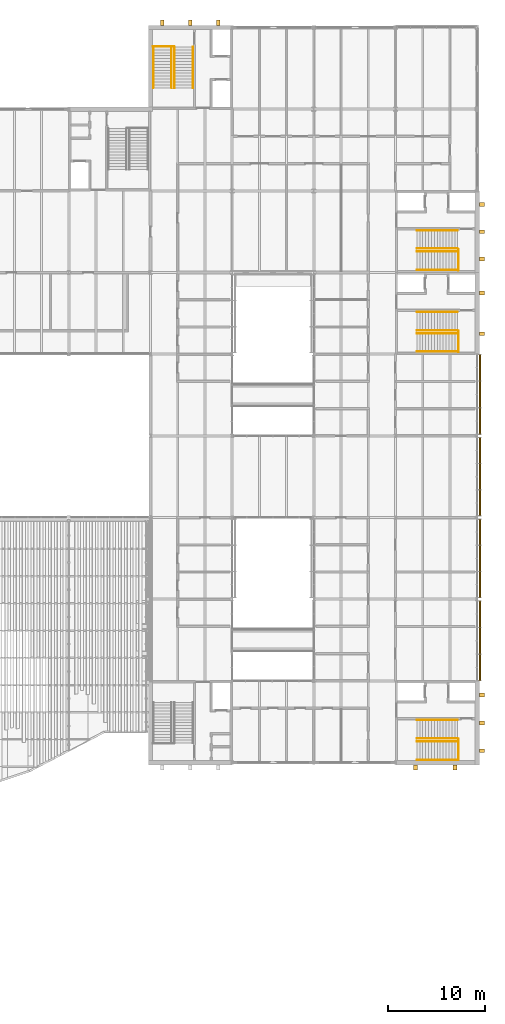
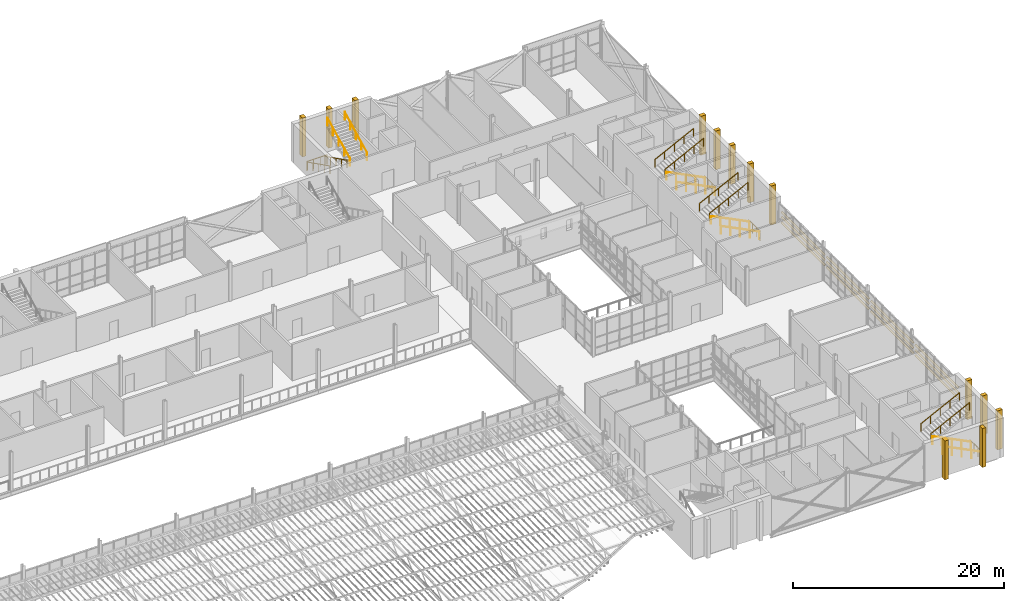
# One storey, part 127 of 129: 25 coverings, 20 railings.
"""IFC4 building model written with IfcOpenShell, lengths in metres."""

from ifc_helpers import new_model, si_unit, direction, frame, origin, origin_2d, place, context, subcontext, project, spatial, rectangle, circle, extrude, material, layer, layer_set, material_profile, profile_set, type_object, element, save


model = new_model("IFC4")

# Units and contexts
model_context = context("Model", 3, precision=1e-05, world=origin(), true_north=direction((0.0, 1.0)))
body_context = subcontext(model_context, "Body", "Model", "MODEL_VIEW")
ifc_project = project(units=[si_unit("LENGTHUNIT", "METRE"), si_unit("AREAUNIT", "SQUARE_METRE"), si_unit("VOLUMEUNIT", "CUBIC_METRE"), si_unit("PLANEANGLEUNIT", "RADIAN"), si_unit("MASSUNIT", "GRAM", prefix="KILO")], contexts=[model_context])

# Site, building, storey
site_placement = place(None, origin())
site = spatial("IfcSite", under=ifc_project, at=site_placement, CompositionType="ELEMENT")
building_placement = place(site_placement, origin())
building = spatial("IfcBuilding", under=site, at=building_placement, Name="Ardhachandra Cancer Care Centre", CompositionType="ELEMENT")
storey_placement = place(building_placement, frame((0.0, 0.0, 4.5)))
storey = spatial("IfcBuildingStorey", under=building, at=storey_placement, Name="L01", CompositionType="ELEMENT", Elevation=4.5)

# Railings
ifc_material_1 = material(Name="Steel E250 (IS 2062)", Category="steel")
railing_type_1 = type_object("IfcRailingType", Name="Guard 1100", PredefinedType="GUARDRAIL", material=ifc_material_1)
railing_1_placement = place(storey_placement, frame((143.260009765625, 29.655029296875, 0.0)))
element("IfcRailing", 1, at=railing_1_placement, inside=storey, type_object=railing_type_1, Name="Stair well guard K9 L01", PredefinedType="GUARDRAIL", context=body_context, shape_type="SweptSolid", body=[
    extrude(circle(Radius=0.02392578125, at=origin_2d()), frame((0.0, 0.0, 1.076171875), z_axis=(0.0, 1.0, 0.0), x_axis=(-1.0, 0.0, 0.0)), (0.0, 0.0, 1.0), 2.169921875),
    extrude(circle(Radius=0.02099609375, at=origin_2d()), origin(), (0.0, 0.0, 1.0), 1.052001953125),
    extrude(circle(Radius=0.02099609375, at=origin_2d()), frame((0.0, 0.723388671875, 0.0)), (0.0, 0.0, 1.0), 1.052001953125),
    extrude(circle(Radius=0.02099609375, at=origin_2d()), frame((0.0, 1.446533203125, 0.0)), (0.0, 0.0, 1.0), 1.052001953125),
    extrude(circle(Radius=0.02099609375, at=origin_2d()), frame((0.0, 2.169921875, 0.0)), (0.0, 0.0, 1.0), 1.052001953125),
])
railing_2_placement = place(storey_placement, frame((143.260009765625, 71.6298828125, 0.0)))
element("IfcRailing", 2, at=railing_2_placement, inside=storey, type_object=railing_type_1, Name="Stair well guard K10 L01", PredefinedType="GUARDRAIL", context=body_context, shape_type="SweptSolid", body=[
    extrude(circle(Radius=0.02392578125, at=origin_2d()), frame((0.0, 0.0, 1.076171875), z_axis=(0.0, 1.0, 0.0), x_axis=(-1.0, 0.0, 0.0)), (0.0, 0.0, 1.0), 2.170166015625),
    extrude(circle(Radius=0.02099609375, at=origin_2d()), origin(), (0.0, 0.0, 1.0), 1.052001953125),
    extrude(circle(Radius=0.02099609375, at=origin_2d()), frame((0.0, 0.723388671875, 0.0)), (0.0, 0.0, 1.0), 1.052001953125),
    extrude(circle(Radius=0.02099609375, at=origin_2d()), frame((0.0, 1.44677734375, 0.0)), (0.0, 0.0, 1.0), 1.052001953125),
    extrude(circle(Radius=0.02099609375, at=origin_2d()), frame((0.0, 2.170166015625, 0.0)), (0.0, 0.0, 1.0), 1.052001953125),
])
railing_3_placement = place(storey_placement, frame((111.85498046875, 103.06005859375, 0.0)))
element("IfcRailing", 3, at=railing_3_placement, inside=storey, type_object=railing_type_1, Name="Stair well guard K12 L01", PredefinedType="GUARDRAIL", context=body_context, shape_type="SweptSolid", body=[
    extrude(circle(Radius=0.02392578125, at=origin_2d()), frame((0.0, 0.0, 1.076171875), z_axis=(1.0, 0.0, 0.0), x_axis=(0.0, 1.0, 0.0)), (0.0, 0.0, 1.0), 2.169921875),
    extrude(circle(Radius=0.02099609375, at=origin_2d()), origin(), (0.0, 0.0, 1.0), 1.052001953125),
    extrude(circle(Radius=0.02099609375, at=origin_2d()), frame((0.723388671875, 0.0, 0.0)), (0.0, 0.0, 1.0), 1.052001953125),
    extrude(circle(Radius=0.02099609375, at=origin_2d()), frame((1.446533203125, 0.0, 0.0)), (0.0, 0.0, 1.0), 1.052001953125),
    extrude(circle(Radius=0.02099609375, at=origin_2d()), frame((2.169921875, 0.0, 0.0)), (0.0, 0.0, 1.0), 1.052001953125),
])
railing_4_placement = place(storey_placement, frame((143.260009765625, 80.030029296875, 0.0)))
element("IfcRailing", 4, at=railing_4_placement, inside=storey, type_object=railing_type_1, Name="Stair well guard K13 L01", PredefinedType="GUARDRAIL", context=body_context, shape_type="SweptSolid", body=[
    extrude(circle(Radius=0.02392578125, at=origin_2d()), frame((0.0, 0.0, 1.076171875), z_axis=(0.0, 1.0, 0.0), x_axis=(-1.0, 0.0, 0.0)), (0.0, 0.0, 1.0), 2.169921875),
    extrude(circle(Radius=0.02099609375, at=origin_2d()), origin(), (0.0, 0.0, 1.0), 1.052001953125),
    extrude(circle(Radius=0.02099609375, at=origin_2d()), frame((0.0, 0.723388671875, 0.0)), (0.0, 0.0, 1.0), 1.052001953125),
    extrude(circle(Radius=0.02099609375, at=origin_2d()), frame((0.0, 1.446533203125, 0.0)), (0.0, 0.0, 1.0), 1.052001953125),
    extrude(circle(Radius=0.02099609375, at=origin_2d()), frame((0.0, 2.169921875, 0.0)), (0.0, 0.0, 1.0), 1.052001953125),
])

# Coverings
ifc_material_2 = material(Name="Anodised aluminium extrusion", Category="aluminium")
ifc_material_profile = material_profile(ifc_material_2, rectangle(XDim=0.199951171875, YDim=0.02001953125, at=origin_2d()), Name="Louvre blade 200 x 20")
ifc_profile_set = profile_set([ifc_material_profile], Name="Anodised aluminium extrusion")
covering_type_1 = type_object("IfcCoveringType", Name="Louvre blade 200 x 20", PredefinedType="CLADDING", material=ifc_profile_set)
for number, where, z_axis, x_axis, name in (
    (5, (145.455078125, 37.830078125, 1.5), (0.0, 1.0, 0.0), (-0.819152044289, 0.0, -0.573576436351), "Louvre blade over curtain wall L01/e/0145200_0037800 1"),
    (6, (145.455078125, 37.830078125, 2.10009765625), (0.0, 1.0, 0.0), (-0.819152044289, 0.0, -0.573576436351), "Louvre blade over curtain wall L01/e/0145200_0037800 2"),
    (7, (145.455078125, 37.830078125, 2.699951171875), (0.0, 1.0, 0.0), (-0.819152044289, 0.0, -0.573576436351), "Louvre blade over curtain wall L01/e/0145200_0037800 3"),
):
    element("IfcCovering", number, at=place(storey_placement, frame(where, z_axis=z_axis, x_axis=x_axis)), inside=storey, type_object=covering_type_1, Name=name, PredefinedType="CLADDING", context=body_context, shape_type="SweptSolid", body=[
        extrude(rectangle(XDim=0.199951171875, YDim=0.02001953125, at=origin_2d()), origin(), (0.0, 0.0, 1.0), 8.19482421875),
    ])
for number, where, z_axis, x_axis, name in (
    (8, (145.455078125, 46.375, 1.5), (0.0, 1.0, 0.0), (-0.819152044289, 0.0, -0.573576436351), "Louvre blade over curtain wall L01/e/0145200_0046200 1"),
    (9, (145.455078125, 46.375, 2.10009765625), (0.0, 1.0, 0.0), (-0.819152044289, 0.0, -0.573576436351), "Louvre blade over curtain wall L01/e/0145200_0046200 2"),
    (10, (145.455078125, 46.375, 2.699951171875), (0.0, 1.0, 0.0), (-0.819152044289, 0.0, -0.573576436351), "Louvre blade over curtain wall L01/e/0145200_0046200 3"),
    (11, (145.455078125, 54.77490234375, 1.5), (0.0, 1.0, 0.0), (-0.819152044289, 0.0, -0.573576436351), "Louvre blade over curtain wall L01/e/0145200_0054600 1"),
    (12, (145.455078125, 54.77490234375, 2.10009765625), (0.0, 1.0, 0.0), (-0.819152044289, 0.0, -0.573576436351), "Louvre blade over curtain wall L01/e/0145200_0054600 2"),
    (13, (145.455078125, 54.77490234375, 2.699951171875), (0.0, 1.0, 0.0), (-0.819152044289, 0.0, -0.573576436351), "Louvre blade over curtain wall L01/e/0145200_0054600 3"),
):
    element("IfcCovering", number, at=place(storey_placement, frame(where, z_axis=z_axis, x_axis=x_axis)), inside=storey, type_object=covering_type_1, Name=name, PredefinedType="CLADDING", context=body_context, shape_type="SweptSolid", body=[
        extrude(rectangle(XDim=0.199951171875, YDim=0.02001953125, at=origin_2d()), origin(), (0.0, 0.0, 1.0), 8.050048828125),
    ])
for number, where, z_axis, x_axis, name in (
    (14, (145.455078125, 63.175048828125, 1.5), (0.0, 1.0, 0.0), (-0.819152044289, 0.0, -0.573576436351), "Louvre blade over curtain wall L01/e/0145200_0063000 1"),
    (15, (145.455078125, 63.175048828125, 2.10009765625), (0.0, 1.0, 0.0), (-0.819152044289, 0.0, -0.573576436351), "Louvre blade over curtain wall L01/e/0145200_0063000 2"),
    (16, (145.455078125, 63.175048828125, 2.699951171875), (0.0, 1.0, 0.0), (-0.819152044289, 0.0, -0.573576436351), "Louvre blade over curtain wall L01/e/0145200_0063000 3"),
):
    element("IfcCovering", number, at=place(storey_placement, frame(where, z_axis=z_axis, x_axis=x_axis)), inside=storey, type_object=covering_type_1, Name=name, PredefinedType="CLADDING", context=body_context, shape_type="SweptSolid", body=[
        extrude(rectangle(XDim=0.199951171875, YDim=0.02001953125, at=origin_2d()), origin(), (0.0, 0.0, 1.0), 8.195068359375),
    ])
ifc_material_3 = material(Name="Precast Concrete M25", Category="concrete")
ifc_layer = layer(ifc_material_3, 0.39990234375)
ifc_layer_set = layer_set([ifc_layer], Name="Precast Concrete M25")
covering_type_2 = type_object("IfcCoveringType", Name="Precast concrete fin 400 x 550", PredefinedType="CLADDING", material=ifc_layer_set)
for number, where, z_axis, x_axis, name in (
    (17, (145.699951171875, 30.612548828125, 0.0), (0.0, 0.0, 1.0), (0.0, 1.0, 0.0), "Fin L01 core K9 1"),
    (18, (145.699951171875, 33.487548828125, 0.0), (0.0, 0.0, 1.0), (0.0, 1.0, 0.0), "Fin L01 core K9 2"),
    (19, (145.699951171875, 36.362548828125, 0.0), (0.0, 0.0, 1.0), (0.0, 1.0, 0.0), "Fin L01 core K9 3"),
    (20, (138.84375, 28.89990234375, 0.0), (0.0, 0.0, 1.0), (1.0, 0.0, 0.0), "Fin L01 core K9 1"),
    (21, (142.93115234375, 28.89990234375, 0.0), (0.0, 0.0, 1.0), (1.0, 0.0, 0.0), "Fin L01 core K9 2"),
    (22, (145.699951171875, 73.5, 0.0), (0.0, 0.0, 1.0), (0.0, 1.0, 0.0), "Fin L01 core K10 1"),
    (23, (145.699951171875, 77.699951171875, 0.0), (0.0, 0.0, 1.0), (0.0, 1.0, 0.0), "Fin L01 core K10 2"),
    (24, (112.8125, 105.5, 0.0), (0.0, 0.0, 1.0), (1.0, 0.0, 0.0), "Fin L01 core K12 1"),
    (25, (115.6875, 105.5, 0.0), (0.0, 0.0, 1.0), (1.0, 0.0, 0.0), "Fin L01 core K12 2"),
    (26, (118.5625, 105.5, 0.0), (0.0, 0.0, 1.0), (1.0, 0.0, 0.0), "Fin L01 core K12 3"),
    (27, (145.699951171875, 81.199951171875, 0.0), (0.0, 0.0, 1.0), (0.0, 1.0, 0.0), "Fin L01 core K13 1"),
    (28, (145.699951171875, 84.0, 0.0), (0.0, 0.0, 1.0), (0.0, 1.0, 0.0), "Fin L01 core K13 2"),
    (29, (145.699951171875, 86.800048828125, 0.0), (0.0, 0.0, 1.0), (0.0, 1.0, 0.0), "Fin L01 core K13 3"),
):
    element("IfcCovering", number, at=place(storey_placement, frame(where, z_axis=z_axis, x_axis=x_axis)), inside=storey, type_object=covering_type_2, Name=name, PredefinedType="CLADDING", context=body_context, shape_type="SweptSolid", body=[
        extrude(rectangle(XDim=0.39990234375, YDim=0.550048828125, at=origin_2d()), origin(), (0.0, 0.0, 1.0), 4.5),
    ])

# Railings
ifc_material_4 = material(Name="Steel E250 (IS 2062)", Category="steel")
railing_type_2 = type_object("IfcRailingType", Name="Stair handrail 900", PredefinedType="HANDRAIL", material=ifc_material_4)
for number, where, name in (
    (30, (143.199951171875, 29.68505859375, 0.14990234375), "Handrail K9 L01-L02 flight 1 wall side"),
    (31, (143.199951171875, 31.574951171875, 0.14990234375), "Handrail K9 L01-L02 flight 1 well side"),
):
    element("IfcRailing", number, at=place(storey_placement, frame(where)), inside=storey, type_object=railing_type_2, Name=name, PredefinedType="HANDRAIL", context=body_context, shape_type="SweptSolid", body=[
        extrude(circle(Radius=0.02392578125, at=origin_2d()), frame((0.0, 0.0, 0.8759765625), z_axis=(-0.894416792377, 0.0, 0.447234392142), x_axis=(0.0, -1.0, 0.0)), (0.0, 0.0, 1.0), 4.69580078125),
        extrude(circle(Radius=0.02099609375, at=origin_2d()), origin(), (0.0, 0.0, 1.0), 0.851806640625),
        extrude(circle(Radius=0.02099609375, at=origin_2d()), frame((-1.050048828125, 0.0, 0.52490234375)), (0.0, 0.0, 1.0), 0.851806640625),
        extrude(circle(Radius=0.02099609375, at=origin_2d()), frame((-2.10009765625, 0.0, 1.050048828125)), (0.0, 0.0, 1.0), 0.851806640625),
        extrude(circle(Radius=0.02099609375, at=origin_2d()), frame((-3.14990234375, 0.0, 1.5751953125)), (0.0, 0.0, 1.0), 0.851806640625),
        extrude(circle(Radius=0.02099609375, at=origin_2d()), frame((-4.199951171875, 0.0, 2.10009765625)), (0.0, 0.0, 1.0), 0.851806640625),
    ])
for number, where, name in (
    (32, (139.0, 31.875, 2.39990234375), "Handrail K9 L01-L02 flight 2 well side"),
    (33, (139.0, 33.764892578125, 2.39990234375), "Handrail K9 L01-L02 flight 2 wall side"),
):
    element("IfcRailing", number, at=place(storey_placement, frame(where)), inside=storey, type_object=railing_type_2, Name=name, PredefinedType="HANDRAIL", context=body_context, shape_type="SweptSolid", body=[
        extrude(circle(Radius=0.02392578125, at=origin_2d()), frame((0.0, 0.0, 0.8759765625), z_axis=(0.894416792377, 0.0, 0.447234392142), x_axis=(0.0, 1.0, 0.0)), (0.0, 0.0, 1.0), 4.69580078125),
        extrude(circle(Radius=0.02099609375, at=origin_2d()), origin(), (0.0, 0.0, 1.0), 0.851806640625),
        extrude(circle(Radius=0.02099609375, at=origin_2d()), frame((1.050048828125, 0.0, 0.52490234375)), (0.0, 0.0, 1.0), 0.851806640625),
        extrude(circle(Radius=0.02099609375, at=origin_2d()), frame((2.10009765625, 0.0, 1.050048828125)), (0.0, 0.0, 1.0), 0.851806640625),
        extrude(circle(Radius=0.02099609375, at=origin_2d()), frame((3.14990234375, 0.0, 1.5751953125)), (0.0, 0.0, 1.0), 0.851806640625),
        extrude(circle(Radius=0.02099609375, at=origin_2d()), frame((4.199951171875, 0.0, 2.10009765625)), (0.0, 0.0, 1.0), 0.851806640625),
    ])
for number, where, name in (
    (34, (143.199951171875, 71.659912109375, 0.14990234375), "Handrail K10 L01-L02 flight 1 wall side"),
    (35, (143.199951171875, 73.550048828125, 0.14990234375), "Handrail K10 L01-L02 flight 1 well side"),
):
    element("IfcRailing", number, at=place(storey_placement, frame(where)), inside=storey, type_object=railing_type_2, Name=name, PredefinedType="HANDRAIL", context=body_context, shape_type="SweptSolid", body=[
        extrude(circle(Radius=0.02392578125, at=origin_2d()), frame((0.0, 0.0, 0.8759765625), z_axis=(-0.894416792377, 0.0, 0.447234392142), x_axis=(0.0, -1.0, 0.0)), (0.0, 0.0, 1.0), 4.69580078125),
        extrude(circle(Radius=0.02099609375, at=origin_2d()), origin(), (0.0, 0.0, 1.0), 0.851806640625),
        extrude(circle(Radius=0.02099609375, at=origin_2d()), frame((-1.050048828125, 0.0, 0.52490234375)), (0.0, 0.0, 1.0), 0.851806640625),
        extrude(circle(Radius=0.02099609375, at=origin_2d()), frame((-2.10009765625, 0.0, 1.050048828125)), (0.0, 0.0, 1.0), 0.851806640625),
        extrude(circle(Radius=0.02099609375, at=origin_2d()), frame((-3.14990234375, 0.0, 1.5751953125)), (0.0, 0.0, 1.0), 0.851806640625),
        extrude(circle(Radius=0.02099609375, at=origin_2d()), frame((-4.199951171875, 0.0, 2.10009765625)), (0.0, 0.0, 1.0), 0.851806640625),
    ])
for number, where, name in (
    (36, (139.0, 73.85009765625, 2.39990234375), "Handrail K10 L01-L02 flight 2 well side"),
    (37, (139.0, 75.739990234375, 2.39990234375), "Handrail K10 L01-L02 flight 2 wall side"),
):
    element("IfcRailing", number, at=place(storey_placement, frame(where)), inside=storey, type_object=railing_type_2, Name=name, PredefinedType="HANDRAIL", context=body_context, shape_type="SweptSolid", body=[
        extrude(circle(Radius=0.02392578125, at=origin_2d()), frame((0.0, 0.0, 0.8759765625), z_axis=(0.894416792377, 0.0, 0.447234392142), x_axis=(0.0, 1.0, 0.0)), (0.0, 0.0, 1.0), 4.69580078125),
        extrude(circle(Radius=0.02099609375, at=origin_2d()), origin(), (0.0, 0.0, 1.0), 0.851806640625),
        extrude(circle(Radius=0.02099609375, at=origin_2d()), frame((1.050048828125, 0.0, 0.52490234375)), (0.0, 0.0, 1.0), 0.851806640625),
        extrude(circle(Radius=0.02099609375, at=origin_2d()), frame((2.10009765625, 0.0, 1.050048828125)), (0.0, 0.0, 1.0), 0.851806640625),
        extrude(circle(Radius=0.02099609375, at=origin_2d()), frame((3.14990234375, 0.0, 1.5751953125)), (0.0, 0.0, 1.0), 0.851806640625),
        extrude(circle(Radius=0.02099609375, at=origin_2d()), frame((4.199951171875, 0.0, 2.10009765625)), (0.0, 0.0, 1.0), 0.851806640625),
    ])
for number, where, name in (
    (38, (111.885009765625, 103.0, 0.14990234375), "Handrail K12 L01-L02 flight 1 wall side"),
    (39, (113.77490234375, 103.0, 0.14990234375), "Handrail K12 L01-L02 flight 1 well side"),
):
    element("IfcRailing", number, at=place(storey_placement, frame(where)), inside=storey, type_object=railing_type_2, Name=name, PredefinedType="HANDRAIL", context=body_context, shape_type="SweptSolid", body=[
        extrude(circle(Radius=0.02392578125, at=origin_2d()), frame((0.0, 0.0, 0.8759765625), z_axis=(0.0, -0.894416792377, 0.447234392142), x_axis=(1.0, 0.0, 0.0)), (0.0, 0.0, 1.0), 4.69580078125),
        extrude(circle(Radius=0.02099609375, at=origin_2d()), origin(), (0.0, 0.0, 1.0), 0.851806640625),
        extrude(circle(Radius=0.02099609375, at=origin_2d()), frame((0.0, -1.050048828125, 0.52490234375)), (0.0, 0.0, 1.0), 0.851806640625),
        extrude(circle(Radius=0.02099609375, at=origin_2d()), frame((0.0, -2.10009765625, 1.050048828125)), (0.0, 0.0, 1.0), 0.851806640625),
        extrude(circle(Radius=0.02099609375, at=origin_2d()), frame((0.0, -3.14990234375, 1.5751953125)), (0.0, 0.0, 1.0), 0.851806640625),
        extrude(circle(Radius=0.02099609375, at=origin_2d()), frame((0.0, -4.199951171875, 2.10009765625)), (0.0, 0.0, 1.0), 0.851806640625),
    ])
for number, where, name in (
    (40, (114.074951171875, 98.800048828125, 2.39990234375), "Handrail K12 L01-L02 flight 2 well side"),
    (41, (115.965087890625, 98.800048828125, 2.39990234375), "Handrail K12 L01-L02 flight 2 wall side"),
):
    element("IfcRailing", number, at=place(storey_placement, frame(where)), inside=storey, type_object=railing_type_2, Name=name, PredefinedType="HANDRAIL", context=body_context, shape_type="SweptSolid", body=[
        extrude(circle(Radius=0.02392578125, at=origin_2d()), frame((0.0, 0.0, 0.8759765625), z_axis=(0.0, 0.894416792377, 0.447234392142), x_axis=(-1.0, 0.0, 0.0)), (0.0, 0.0, 1.0), 4.69580078125),
        extrude(circle(Radius=0.02099609375, at=origin_2d()), origin(), (0.0, 0.0, 1.0), 0.851806640625),
        extrude(circle(Radius=0.02099609375, at=origin_2d()), frame((0.0, 1.050048828125, 0.52490234375)), (0.0, 0.0, 1.0), 0.851806640625),
        extrude(circle(Radius=0.02099609375, at=origin_2d()), frame((0.0, 2.10009765625, 1.050048828125)), (0.0, 0.0, 1.0), 0.851806640625),
        extrude(circle(Radius=0.02099609375, at=origin_2d()), frame((0.0, 3.14990234375, 1.5751953125)), (0.0, 0.0, 1.0), 0.851806640625),
        extrude(circle(Radius=0.02099609375, at=origin_2d()), frame((0.0, 4.199951171875, 2.10009765625)), (0.0, 0.0, 1.0), 0.851806640625),
    ])
for number, where, name in (
    (42, (143.199951171875, 80.06005859375, 0.14990234375), "Handrail K13 L01-L02 flight 1 wall side"),
    (43, (143.199951171875, 81.949951171875, 0.14990234375), "Handrail K13 L01-L02 flight 1 well side"),
):
    element("IfcRailing", number, at=place(storey_placement, frame(where)), inside=storey, type_object=railing_type_2, Name=name, PredefinedType="HANDRAIL", context=body_context, shape_type="SweptSolid", body=[
        extrude(circle(Radius=0.02392578125, at=origin_2d()), frame((0.0, 0.0, 0.8759765625), z_axis=(-0.894416792377, 0.0, 0.447234392142), x_axis=(0.0, -1.0, 0.0)), (0.0, 0.0, 1.0), 4.69580078125),
        extrude(circle(Radius=0.02099609375, at=origin_2d()), origin(), (0.0, 0.0, 1.0), 0.851806640625),
        extrude(circle(Radius=0.02099609375, at=origin_2d()), frame((-1.050048828125, 0.0, 0.52490234375)), (0.0, 0.0, 1.0), 0.851806640625),
        extrude(circle(Radius=0.02099609375, at=origin_2d()), frame((-2.10009765625, 0.0, 1.050048828125)), (0.0, 0.0, 1.0), 0.851806640625),
        extrude(circle(Radius=0.02099609375, at=origin_2d()), frame((-3.14990234375, 0.0, 1.5751953125)), (0.0, 0.0, 1.0), 0.851806640625),
        extrude(circle(Radius=0.02099609375, at=origin_2d()), frame((-4.199951171875, 0.0, 2.10009765625)), (0.0, 0.0, 1.0), 0.851806640625),
    ])
for number, where, name in (
    (44, (139.0, 82.25, 2.39990234375), "Handrail K13 L01-L02 flight 2 well side"),
    (45, (139.0, 84.139892578125, 2.39990234375), "Handrail K13 L01-L02 flight 2 wall side"),
):
    element("IfcRailing", number, at=place(storey_placement, frame(where)), inside=storey, type_object=railing_type_2, Name=name, PredefinedType="HANDRAIL", context=body_context, shape_type="SweptSolid", body=[
        extrude(circle(Radius=0.02392578125, at=origin_2d()), frame((0.0, 0.0, 0.8759765625), z_axis=(0.894416792377, 0.0, 0.447234392142), x_axis=(0.0, 1.0, 0.0)), (0.0, 0.0, 1.0), 4.69580078125),
        extrude(circle(Radius=0.02099609375, at=origin_2d()), origin(), (0.0, 0.0, 1.0), 0.851806640625),
        extrude(circle(Radius=0.02099609375, at=origin_2d()), frame((1.050048828125, 0.0, 0.52490234375)), (0.0, 0.0, 1.0), 0.851806640625),
        extrude(circle(Radius=0.02099609375, at=origin_2d()), frame((2.10009765625, 0.0, 1.050048828125)), (0.0, 0.0, 1.0), 0.851806640625),
        extrude(circle(Radius=0.02099609375, at=origin_2d()), frame((3.14990234375, 0.0, 1.5751953125)), (0.0, 0.0, 1.0), 0.851806640625),
        extrude(circle(Radius=0.02099609375, at=origin_2d()), frame((4.199951171875, 0.0, 2.10009765625)), (0.0, 0.0, 1.0), 0.851806640625),
    ])

save(model, "model.ifc")
